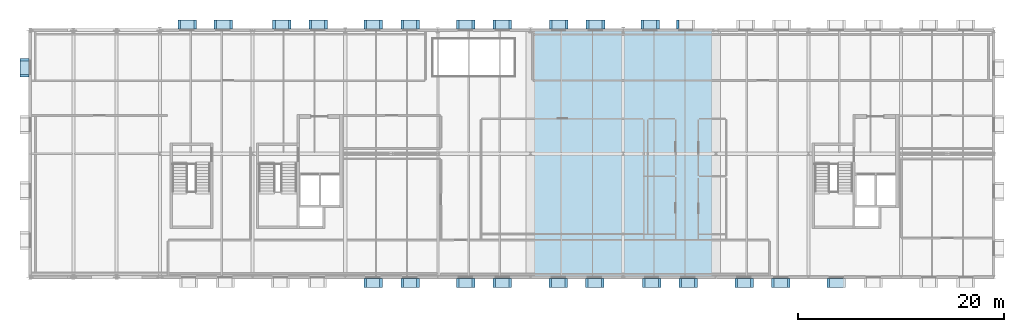
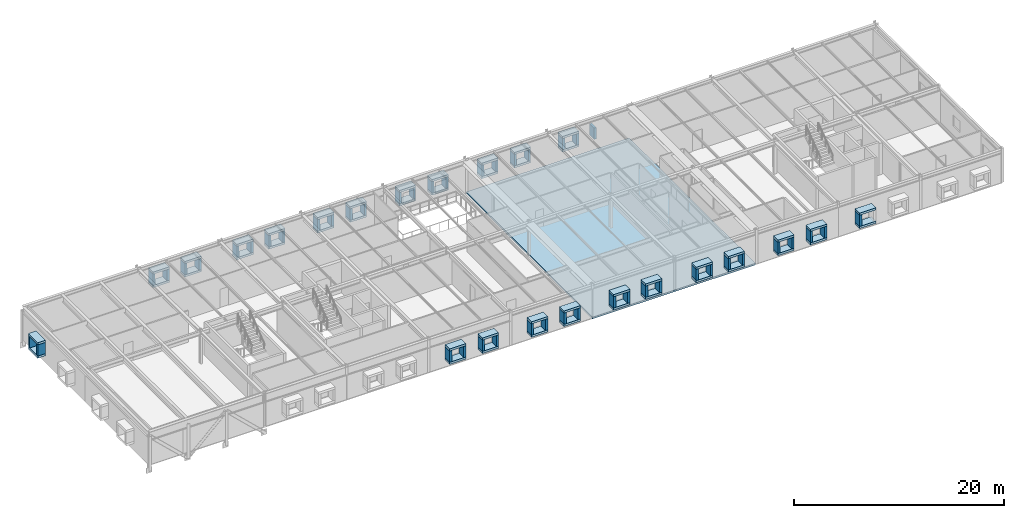
# One storey, part 6 of 17: 92 plates, 1 slab.
"""IFC4 building model written with IfcOpenShell, lengths in metres."""

from ifc_helpers import new_model, si_unit, direction, frame, origin, origin_2d, place, context, subcontext, project, spatial, polyline, rectangle, outline, extrude, material, layer, layer_set, type_object, element, save


model = new_model("IFC4")

# Units and contexts
model_context = context("Model", 3, precision=1e-05, world=origin(), true_north=direction((0.0, 1.0)))
body_context = subcontext(model_context, "Body", "Model", "MODEL_VIEW")
ifc_project = project(units=[si_unit("LENGTHUNIT", "METRE"), si_unit("AREAUNIT", "SQUARE_METRE"), si_unit("VOLUMEUNIT", "CUBIC_METRE"), si_unit("PLANEANGLEUNIT", "RADIAN"), si_unit("MASSUNIT", "GRAM", prefix="KILO")], contexts=[model_context])

# Site, building, storey
site_placement = place(None, origin())
site = spatial("IfcSite", under=ifc_project, at=site_placement, CompositionType="ELEMENT")
building_placement = place(site_placement, origin())
building = spatial("IfcBuilding", under=site, at=building_placement, Name="Montelvaro Courts of Justice", CompositionType="ELEMENT")
storey_placement = place(building_placement, frame((0.0, 0.0, 31.39990234375)))
storey = spatial("IfcBuildingStorey", under=building, at=storey_placement, Name="L07", CompositionType="ELEMENT", Elevation=31.39990234375)

# Slab
ifc_material_1 = material(Name="Concrete C35/45", Category="concrete")
ifc_layer_1 = layer(ifc_material_1, 0.199951171875)
ifc_layer_set_1 = layer_set([ifc_layer_1], Name="Concrete C35/45")
slab_type = type_object("IfcSlabType", Name="FloorSlab_200", PredefinedType="FLOOR", material=ifc_layer_set_1)
slab_placement = place(storey_placement, frame((0.0, 0.0, -0.199951171875)))
element("IfcSlab", 1, at=slab_placement, inside=storey, type_object=slab_type, Name="Structural Slab SF-09 L07", PredefinedType="FLOOR", context=body_context, shape_type="SweptSolid", body=[
    extrude(outline(polyline([(81.050048828125, 0.0), (98.949951171875, 0.0), (98.949951171875, 24.0), (81.050048828125, 24.0), (81.050048828125, 0.0)])), origin(), (0.0, 0.0, 1.0), 0.199951171875),
])

# Plates
ifc_material_2 = material(Name="White mineral precast concrete C45/55", Category="concrete")
ifc_layer_2 = layer(ifc_material_2, 0.25)
ifc_layer_set_2 = layer_set([ifc_layer_2], Name="White mineral precast concrete C45/55")
plate_type = type_object("IfcPlateType", Name="PrecastSquareFrame_250x850", PredefinedType="SHEET", material=ifc_layer_set_2)
for number, where, z_axis, x_axis, name in (
    (2, (65.702880859375, -0.56005859375, 2.35009765625), (0.0, 0.0, 1.0), (1.0, 0.0, 0.0), "Graduated Square Window Frame PF-03 W-L07-330 TOP"),
    (3, (65.702880859375, -0.56005859375, 0.800048828125), (0.0, 0.0, 1.0), (1.0, 0.0, 0.0), "Graduated Square Window Frame PF-03 W-L07-330 BOT"),
):
    element("IfcPlate", number, at=place(storey_placement, frame(where, z_axis=z_axis, x_axis=x_axis)), inside=storey, type_object=plate_type, Name=name, PredefinedType="SHEET", context=body_context, shape_type="SweptSolid", body=[
        extrude(rectangle(XDim=1.800048828125, YDim=0.860107421875, at=origin_2d()), origin(), (0.0, 0.0, 1.0), 0.25),
    ])
for number, where, z_axis, x_axis, name in (
    (4, (64.927978515625, -0.56005859375, 1.05029296875), (0.0, 0.0, 1.0), (1.0, 0.0, 0.0), "Graduated Square Window Frame PF-03 W-L07-330 L"),
    (5, (66.47802734375, -0.56005859375, 1.05029296875), (0.0, 0.0, 1.0), (1.0, 0.0, 0.0), "Graduated Square Window Frame PF-03 W-L07-330 R"),
):
    element("IfcPlate", number, at=place(storey_placement, frame(where, z_axis=z_axis, x_axis=x_axis)), inside=storey, type_object=plate_type, Name=name, PredefinedType="SHEET", context=body_context, shape_type="SweptSolid", body=[
        extrude(rectangle(XDim=0.25, YDim=0.860107421875, at=origin_2d()), origin(), (0.0, 0.0, 1.0), 1.300048828125),
    ])
for number, where, z_axis, x_axis, name in (
    (6, (69.297119140625, -0.56005859375, 2.35009765625), (0.0, 0.0, 1.0), (1.0, 0.0, 0.0), "Graduated Square Window Frame PF-03 W-L07-331 TOP"),
    (7, (69.297119140625, -0.56005859375, 0.800048828125), (0.0, 0.0, 1.0), (1.0, 0.0, 0.0), "Graduated Square Window Frame PF-03 W-L07-331 BOT"),
):
    element("IfcPlate", number, at=place(storey_placement, frame(where, z_axis=z_axis, x_axis=x_axis)), inside=storey, type_object=plate_type, Name=name, PredefinedType="SHEET", context=body_context, shape_type="SweptSolid", body=[
        extrude(rectangle(XDim=1.800048828125, YDim=0.860107421875, at=origin_2d()), origin(), (0.0, 0.0, 1.0), 0.25),
    ])
for number, where, z_axis, x_axis, name in (
    (8, (68.52197265625, -0.56005859375, 1.05029296875), (0.0, 0.0, 1.0), (1.0, 0.0, 0.0), "Graduated Square Window Frame PF-03 W-L07-331 L"),
    (9, (70.072021484375, -0.56005859375, 1.05029296875), (0.0, 0.0, 1.0), (1.0, 0.0, 0.0), "Graduated Square Window Frame PF-03 W-L07-331 R"),
):
    element("IfcPlate", number, at=place(storey_placement, frame(where, z_axis=z_axis, x_axis=x_axis)), inside=storey, type_object=plate_type, Name=name, PredefinedType="SHEET", context=body_context, shape_type="SweptSolid", body=[
        extrude(rectangle(XDim=0.25, YDim=0.860107421875, at=origin_2d()), origin(), (0.0, 0.0, 1.0), 1.300048828125),
    ])
for number, where, z_axis, x_axis, name in (
    (10, (74.68798828125, -0.56005859375, 2.35009765625), (0.0, 0.0, 1.0), (1.0, 0.0, 0.0), "Graduated Square Window Frame PF-03 W-L07-332 TOP"),
    (11, (74.68798828125, -0.56005859375, 0.800048828125), (0.0, 0.0, 1.0), (1.0, 0.0, 0.0), "Graduated Square Window Frame PF-03 W-L07-332 BOT"),
):
    element("IfcPlate", number, at=place(storey_placement, frame(where, z_axis=z_axis, x_axis=x_axis)), inside=storey, type_object=plate_type, Name=name, PredefinedType="SHEET", context=body_context, shape_type="SweptSolid", body=[
        extrude(rectangle(XDim=1.800048828125, YDim=0.860107421875, at=origin_2d()), origin(), (0.0, 0.0, 1.0), 0.25),
    ])
for number, where, z_axis, x_axis, name in (
    (12, (73.9130859375, -0.56005859375, 1.05029296875), (0.0, 0.0, 1.0), (1.0, 0.0, 0.0), "Graduated Square Window Frame PF-03 W-L07-332 L"),
    (13, (75.462890625, -0.56005859375, 1.05029296875), (0.0, 0.0, 1.0), (1.0, 0.0, 0.0), "Graduated Square Window Frame PF-03 W-L07-332 R"),
):
    element("IfcPlate", number, at=place(storey_placement, frame(where, z_axis=z_axis, x_axis=x_axis)), inside=storey, type_object=plate_type, Name=name, PredefinedType="SHEET", context=body_context, shape_type="SweptSolid", body=[
        extrude(rectangle(XDim=0.25, YDim=0.860107421875, at=origin_2d()), origin(), (0.0, 0.0, 1.0), 1.300048828125),
    ])
for number, where, z_axis, x_axis, name in (
    (14, (78.261962890625, -0.56005859375, 2.35009765625), (0.0, 0.0, 1.0), (1.0, 0.0, 0.0), "Graduated Square Window Frame PF-03 W-L07-333 TOP"),
    (15, (78.261962890625, -0.56005859375, 0.800048828125), (0.0, 0.0, 1.0), (1.0, 0.0, 0.0), "Graduated Square Window Frame PF-03 W-L07-333 BOT"),
):
    element("IfcPlate", number, at=place(storey_placement, frame(where, z_axis=z_axis, x_axis=x_axis)), inside=storey, type_object=plate_type, Name=name, PredefinedType="SHEET", context=body_context, shape_type="SweptSolid", body=[
        extrude(rectangle(XDim=1.800048828125, YDim=0.860107421875, at=origin_2d()), origin(), (0.0, 0.0, 1.0), 0.25),
    ])
for number, where, z_axis, x_axis, name in (
    (16, (77.487060546875, -0.56005859375, 1.05029296875), (0.0, 0.0, 1.0), (1.0, 0.0, 0.0), "Graduated Square Window Frame PF-03 W-L07-333 L"),
    (17, (79.037109375, -0.56005859375, 1.05029296875), (0.0, 0.0, 1.0), (1.0, 0.0, 0.0), "Graduated Square Window Frame PF-03 W-L07-333 R"),
):
    element("IfcPlate", number, at=place(storey_placement, frame(where, z_axis=z_axis, x_axis=x_axis)), inside=storey, type_object=plate_type, Name=name, PredefinedType="SHEET", context=body_context, shape_type="SweptSolid", body=[
        extrude(rectangle(XDim=0.25, YDim=0.860107421875, at=origin_2d()), origin(), (0.0, 0.0, 1.0), 1.300048828125),
    ])
for number, where, z_axis, x_axis, name in (
    (18, (78.261962890625, 24.56005859375, 2.35009765625), (0.0, 0.0, 1.0), (-1.0, 0.0, 0.0), "Graduated Square Window Frame PF-03 W-L07-334 TOP"),
    (19, (78.261962890625, 24.56005859375, 0.800048828125), (0.0, 0.0, 1.0), (-1.0, 0.0, 0.0), "Graduated Square Window Frame PF-03 W-L07-334 BOT"),
):
    element("IfcPlate", number, at=place(storey_placement, frame(where, z_axis=z_axis, x_axis=x_axis)), inside=storey, type_object=plate_type, Name=name, PredefinedType="SHEET", context=body_context, shape_type="SweptSolid", body=[
        extrude(rectangle(XDim=1.800048828125, YDim=0.860107421875, at=origin_2d()), origin(), (0.0, 0.0, 1.0), 0.25),
    ])
for number, where, z_axis, x_axis, name in (
    (20, (79.037109375, 24.56005859375, 1.05029296875), (0.0, 0.0, 1.0), (-1.0, 0.0, 0.0), "Graduated Square Window Frame PF-03 W-L07-334 L"),
    (21, (77.487060546875, 24.56005859375, 1.05029296875), (0.0, 0.0, 1.0), (-1.0, 0.0, 0.0), "Graduated Square Window Frame PF-03 W-L07-334 R"),
):
    element("IfcPlate", number, at=place(storey_placement, frame(where, z_axis=z_axis, x_axis=x_axis)), inside=storey, type_object=plate_type, Name=name, PredefinedType="SHEET", context=body_context, shape_type="SweptSolid", body=[
        extrude(rectangle(XDim=0.25, YDim=0.860107421875, at=origin_2d()), origin(), (0.0, 0.0, 1.0), 1.300048828125),
    ])
for number, where, z_axis, x_axis, name in (
    (22, (74.68798828125, 24.56005859375, 2.35009765625), (0.0, 0.0, 1.0), (-1.0, 0.0, 0.0), "Graduated Square Window Frame PF-03 W-L07-335 TOP"),
    (23, (74.68798828125, 24.56005859375, 0.800048828125), (0.0, 0.0, 1.0), (-1.0, 0.0, 0.0), "Graduated Square Window Frame PF-03 W-L07-335 BOT"),
):
    element("IfcPlate", number, at=place(storey_placement, frame(where, z_axis=z_axis, x_axis=x_axis)), inside=storey, type_object=plate_type, Name=name, PredefinedType="SHEET", context=body_context, shape_type="SweptSolid", body=[
        extrude(rectangle(XDim=1.800048828125, YDim=0.860107421875, at=origin_2d()), origin(), (0.0, 0.0, 1.0), 0.25),
    ])
for number, where, z_axis, x_axis, name in (
    (24, (75.462890625, 24.56005859375, 1.05029296875), (0.0, 0.0, 1.0), (-1.0, 0.0, 0.0), "Graduated Square Window Frame PF-03 W-L07-335 L"),
    (25, (73.9130859375, 24.56005859375, 1.05029296875), (0.0, 0.0, 1.0), (-1.0, 0.0, 0.0), "Graduated Square Window Frame PF-03 W-L07-335 R"),
):
    element("IfcPlate", number, at=place(storey_placement, frame(where, z_axis=z_axis, x_axis=x_axis)), inside=storey, type_object=plate_type, Name=name, PredefinedType="SHEET", context=body_context, shape_type="SweptSolid", body=[
        extrude(rectangle(XDim=0.25, YDim=0.860107421875, at=origin_2d()), origin(), (0.0, 0.0, 1.0), 1.300048828125),
    ])
for number, where, z_axis, x_axis, name in (
    (26, (69.297119140625, 24.56005859375, 2.35009765625), (0.0, 0.0, 1.0), (-1.0, 0.0, 0.0), "Graduated Square Window Frame PF-03 W-L07-336 TOP"),
    (27, (69.297119140625, 24.56005859375, 0.800048828125), (0.0, 0.0, 1.0), (-1.0, 0.0, 0.0), "Graduated Square Window Frame PF-03 W-L07-336 BOT"),
):
    element("IfcPlate", number, at=place(storey_placement, frame(where, z_axis=z_axis, x_axis=x_axis)), inside=storey, type_object=plate_type, Name=name, PredefinedType="SHEET", context=body_context, shape_type="SweptSolid", body=[
        extrude(rectangle(XDim=1.800048828125, YDim=0.860107421875, at=origin_2d()), origin(), (0.0, 0.0, 1.0), 0.25),
    ])
for number, where, z_axis, x_axis, name in (
    (28, (70.072021484375, 24.56005859375, 1.05029296875), (0.0, 0.0, 1.0), (-1.0, 0.0, 0.0), "Graduated Square Window Frame PF-03 W-L07-336 L"),
    (29, (68.52197265625, 24.56005859375, 1.05029296875), (0.0, 0.0, 1.0), (-1.0, 0.0, 0.0), "Graduated Square Window Frame PF-03 W-L07-336 R"),
):
    element("IfcPlate", number, at=place(storey_placement, frame(where, z_axis=z_axis, x_axis=x_axis)), inside=storey, type_object=plate_type, Name=name, PredefinedType="SHEET", context=body_context, shape_type="SweptSolid", body=[
        extrude(rectangle(XDim=0.25, YDim=0.860107421875, at=origin_2d()), origin(), (0.0, 0.0, 1.0), 1.300048828125),
    ])
for number, where, z_axis, x_axis, name in (
    (30, (65.702880859375, 24.56005859375, 2.35009765625), (0.0, 0.0, 1.0), (-1.0, 0.0, 0.0), "Graduated Square Window Frame PF-03 W-L07-337 TOP"),
    (31, (65.702880859375, 24.56005859375, 0.800048828125), (0.0, 0.0, 1.0), (-1.0, 0.0, 0.0), "Graduated Square Window Frame PF-03 W-L07-337 BOT"),
):
    element("IfcPlate", number, at=place(storey_placement, frame(where, z_axis=z_axis, x_axis=x_axis)), inside=storey, type_object=plate_type, Name=name, PredefinedType="SHEET", context=body_context, shape_type="SweptSolid", body=[
        extrude(rectangle(XDim=1.800048828125, YDim=0.860107421875, at=origin_2d()), origin(), (0.0, 0.0, 1.0), 0.25),
    ])
for number, where, z_axis, x_axis, name in (
    (32, (66.47802734375, 24.56005859375, 1.05029296875), (0.0, 0.0, 1.0), (-1.0, 0.0, 0.0), "Graduated Square Window Frame PF-03 W-L07-337 L"),
    (33, (64.927978515625, 24.56005859375, 1.05029296875), (0.0, 0.0, 1.0), (-1.0, 0.0, 0.0), "Graduated Square Window Frame PF-03 W-L07-337 R"),
):
    element("IfcPlate", number, at=place(storey_placement, frame(where, z_axis=z_axis, x_axis=x_axis)), inside=storey, type_object=plate_type, Name=name, PredefinedType="SHEET", context=body_context, shape_type="SweptSolid", body=[
        extrude(rectangle(XDim=0.25, YDim=0.860107421875, at=origin_2d()), origin(), (0.0, 0.0, 1.0), 1.300048828125),
    ])
for number, where, z_axis, x_axis, name in (
    (34, (60.361083984375, 24.56005859375, 2.35009765625), (0.0, 0.0, 1.0), (-1.0, 0.0, 0.0), "Graduated Square Window Frame PF-03 W-L07-338 TOP"),
    (35, (60.361083984375, 24.56005859375, 0.800048828125), (0.0, 0.0, 1.0), (-1.0, 0.0, 0.0), "Graduated Square Window Frame PF-03 W-L07-338 BOT"),
):
    element("IfcPlate", number, at=place(storey_placement, frame(where, z_axis=z_axis, x_axis=x_axis)), inside=storey, type_object=plate_type, Name=name, PredefinedType="SHEET", context=body_context, shape_type="SweptSolid", body=[
        extrude(rectangle(XDim=1.800048828125, YDim=0.860107421875, at=origin_2d()), origin(), (0.0, 0.0, 1.0), 0.25),
    ])
for number, where, z_axis, x_axis, name in (
    (36, (61.135986328125, 24.56005859375, 1.05029296875), (0.0, 0.0, 1.0), (-1.0, 0.0, 0.0), "Graduated Square Window Frame PF-03 W-L07-338 L"),
    (37, (59.5859375, 24.56005859375, 1.05029296875), (0.0, 0.0, 1.0), (-1.0, 0.0, 0.0), "Graduated Square Window Frame PF-03 W-L07-338 R"),
):
    element("IfcPlate", number, at=place(storey_placement, frame(where, z_axis=z_axis, x_axis=x_axis)), inside=storey, type_object=plate_type, Name=name, PredefinedType="SHEET", context=body_context, shape_type="SweptSolid", body=[
        extrude(rectangle(XDim=0.25, YDim=0.860107421875, at=origin_2d()), origin(), (0.0, 0.0, 1.0), 1.300048828125),
    ])
for number, where, z_axis, x_axis, name in (
    (38, (56.85400390625, 24.56005859375, 2.35009765625), (0.0, 0.0, 1.0), (-1.0, 0.0, 0.0), "Graduated Square Window Frame PF-03 W-L07-339 TOP"),
    (39, (56.85400390625, 24.56005859375, 0.800048828125), (0.0, 0.0, 1.0), (-1.0, 0.0, 0.0), "Graduated Square Window Frame PF-03 W-L07-339 BOT"),
):
    element("IfcPlate", number, at=place(storey_placement, frame(where, z_axis=z_axis, x_axis=x_axis)), inside=storey, type_object=plate_type, Name=name, PredefinedType="SHEET", context=body_context, shape_type="SweptSolid", body=[
        extrude(rectangle(XDim=1.800048828125, YDim=0.860107421875, at=origin_2d()), origin(), (0.0, 0.0, 1.0), 0.25),
    ])
for number, where, z_axis, x_axis, name in (
    (40, (57.62890625, 24.56005859375, 1.05029296875), (0.0, 0.0, 1.0), (-1.0, 0.0, 0.0), "Graduated Square Window Frame PF-03 W-L07-339 L"),
    (41, (56.0791015625, 24.56005859375, 1.05029296875), (0.0, 0.0, 1.0), (-1.0, 0.0, 0.0), "Graduated Square Window Frame PF-03 W-L07-339 R"),
):
    element("IfcPlate", number, at=place(storey_placement, frame(where, z_axis=z_axis, x_axis=x_axis)), inside=storey, type_object=plate_type, Name=name, PredefinedType="SHEET", context=body_context, shape_type="SweptSolid", body=[
        extrude(rectangle(XDim=0.25, YDim=0.860107421875, at=origin_2d()), origin(), (0.0, 0.0, 1.0), 1.300048828125),
    ])
for number, where, z_axis, x_axis, name in (
    (42, (51.14599609375, 24.56005859375, 2.35009765625), (0.0, 0.0, 1.0), (-1.0, 0.0, 0.0), "Graduated Square Window Frame PF-03 W-L07-340 TOP"),
    (43, (51.14599609375, 24.56005859375, 0.800048828125), (0.0, 0.0, 1.0), (-1.0, 0.0, 0.0), "Graduated Square Window Frame PF-03 W-L07-340 BOT"),
):
    element("IfcPlate", number, at=place(storey_placement, frame(where, z_axis=z_axis, x_axis=x_axis)), inside=storey, type_object=plate_type, Name=name, PredefinedType="SHEET", context=body_context, shape_type="SweptSolid", body=[
        extrude(rectangle(XDim=1.800048828125, YDim=0.860107421875, at=origin_2d()), origin(), (0.0, 0.0, 1.0), 0.25),
    ])
for number, where, z_axis, x_axis, name in (
    (44, (51.9208984375, 24.56005859375, 1.05029296875), (0.0, 0.0, 1.0), (-1.0, 0.0, 0.0), "Graduated Square Window Frame PF-03 W-L07-340 L"),
    (45, (50.37109375, 24.56005859375, 1.05029296875), (0.0, 0.0, 1.0), (-1.0, 0.0, 0.0), "Graduated Square Window Frame PF-03 W-L07-340 R"),
):
    element("IfcPlate", number, at=place(storey_placement, frame(where, z_axis=z_axis, x_axis=x_axis)), inside=storey, type_object=plate_type, Name=name, PredefinedType="SHEET", context=body_context, shape_type="SweptSolid", body=[
        extrude(rectangle(XDim=0.25, YDim=0.860107421875, at=origin_2d()), origin(), (0.0, 0.0, 1.0), 1.300048828125),
    ])
for number, where, z_axis, x_axis, name in (
    (46, (47.638916015625, 24.56005859375, 2.35009765625), (0.0, 0.0, 1.0), (-1.0, 0.0, 0.0), "Graduated Square Window Frame PF-03 W-L07-341 TOP"),
    (47, (47.638916015625, 24.56005859375, 0.800048828125), (0.0, 0.0, 1.0), (-1.0, 0.0, 0.0), "Graduated Square Window Frame PF-03 W-L07-341 BOT"),
):
    element("IfcPlate", number, at=place(storey_placement, frame(where, z_axis=z_axis, x_axis=x_axis)), inside=storey, type_object=plate_type, Name=name, PredefinedType="SHEET", context=body_context, shape_type="SweptSolid", body=[
        extrude(rectangle(XDim=1.800048828125, YDim=0.860107421875, at=origin_2d()), origin(), (0.0, 0.0, 1.0), 0.25),
    ])
for number, where, z_axis, x_axis, name in (
    (48, (48.4140625, 24.56005859375, 1.05029296875), (0.0, 0.0, 1.0), (-1.0, 0.0, 0.0), "Graduated Square Window Frame PF-03 W-L07-341 L"),
    (49, (46.864013671875, 24.56005859375, 1.05029296875), (0.0, 0.0, 1.0), (-1.0, 0.0, 0.0), "Graduated Square Window Frame PF-03 W-L07-341 R"),
):
    element("IfcPlate", number, at=place(storey_placement, frame(where, z_axis=z_axis, x_axis=x_axis)), inside=storey, type_object=plate_type, Name=name, PredefinedType="SHEET", context=body_context, shape_type="SweptSolid", body=[
        extrude(rectangle(XDim=0.25, YDim=0.860107421875, at=origin_2d()), origin(), (0.0, 0.0, 1.0), 1.300048828125),
    ])
for number, where, z_axis, x_axis, name in (
    (50, (31.840087890625, 20.368896484375, 2.35009765625), (0.0, 0.0, 1.0), (0.0, -1.0, 0.0), "Graduated Square Window Frame PF-03 W-L07-342 TOP"),
    (51, (31.840087890625, 20.368896484375, 0.800048828125), (0.0, 0.0, 1.0), (0.0, -1.0, 0.0), "Graduated Square Window Frame PF-03 W-L07-342 BOT"),
):
    element("IfcPlate", number, at=place(storey_placement, frame(where, z_axis=z_axis, x_axis=x_axis)), inside=storey, type_object=plate_type, Name=name, PredefinedType="SHEET", context=body_context, shape_type="SweptSolid", body=[
        extrude(rectangle(XDim=1.800048828125, YDim=0.860107421875, at=origin_2d()), origin(), (0.0, 0.0, 1.0), 0.25),
    ])
for number, where, z_axis, x_axis, name in (
    (52, (31.840087890625, 21.14404296875, 1.05029296875), (0.0, 0.0, 1.0), (0.0, -1.0, 0.0), "Graduated Square Window Frame PF-03 W-L07-342 L"),
    (53, (31.840087890625, 19.593994140625, 1.05029296875), (0.0, 0.0, 1.0), (0.0, -1.0, 0.0), "Graduated Square Window Frame PF-03 W-L07-342 R"),
):
    element("IfcPlate", number, at=place(storey_placement, frame(where, z_axis=z_axis, x_axis=x_axis)), inside=storey, type_object=plate_type, Name=name, PredefinedType="SHEET", context=body_context, shape_type="SweptSolid", body=[
        extrude(rectangle(XDim=0.25, YDim=0.860107421875, at=origin_2d()), origin(), (0.0, 0.0, 1.0), 1.300048828125),
    ])
for number, where, z_axis, x_axis, name in (
    (54, (83.698974609375, -0.56005859375, 2.35009765625), (0.0, 0.0, 1.0), (1.0, 0.0, 0.0), "Graduated Square Window Frame PF-03 W-L07-346 TOP"),
    (55, (83.698974609375, -0.56005859375, 0.800048828125), (0.0, 0.0, 1.0), (1.0, 0.0, 0.0), "Graduated Square Window Frame PF-03 W-L07-346 BOT"),
):
    element("IfcPlate", number, at=place(storey_placement, frame(where, z_axis=z_axis, x_axis=x_axis)), inside=storey, type_object=plate_type, Name=name, PredefinedType="SHEET", context=body_context, shape_type="SweptSolid", body=[
        extrude(rectangle(XDim=1.800048828125, YDim=0.860107421875, at=origin_2d()), origin(), (0.0, 0.0, 1.0), 0.25),
    ])
for number, where, z_axis, x_axis, name in (
    (56, (82.924072265625, -0.56005859375, 1.05029296875), (0.0, 0.0, 1.0), (1.0, 0.0, 0.0), "Graduated Square Window Frame PF-03 W-L07-346 L"),
    (57, (84.47412109375, -0.56005859375, 1.05029296875), (0.0, 0.0, 1.0), (1.0, 0.0, 0.0), "Graduated Square Window Frame PF-03 W-L07-346 R"),
):
    element("IfcPlate", number, at=place(storey_placement, frame(where, z_axis=z_axis, x_axis=x_axis)), inside=storey, type_object=plate_type, Name=name, PredefinedType="SHEET", context=body_context, shape_type="SweptSolid", body=[
        extrude(rectangle(XDim=0.25, YDim=0.860107421875, at=origin_2d()), origin(), (0.0, 0.0, 1.0), 1.300048828125),
    ])
for number, where, z_axis, x_axis, name in (
    (58, (87.220947265625, -0.56005859375, 2.35009765625), (0.0, 0.0, 1.0), (1.0, 0.0, 0.0), "Graduated Square Window Frame PF-03 W-L07-347 TOP"),
    (59, (87.220947265625, -0.56005859375, 0.800048828125), (0.0, 0.0, 1.0), (1.0, 0.0, 0.0), "Graduated Square Window Frame PF-03 W-L07-347 BOT"),
):
    element("IfcPlate", number, at=place(storey_placement, frame(where, z_axis=z_axis, x_axis=x_axis)), inside=storey, type_object=plate_type, Name=name, PredefinedType="SHEET", context=body_context, shape_type="SweptSolid", body=[
        extrude(rectangle(XDim=1.800048828125, YDim=0.860107421875, at=origin_2d()), origin(), (0.0, 0.0, 1.0), 0.25),
    ])
for number, where, z_axis, x_axis, name in (
    (60, (86.446044921875, -0.56005859375, 1.05029296875), (0.0, 0.0, 1.0), (1.0, 0.0, 0.0), "Graduated Square Window Frame PF-03 W-L07-347 L"),
    (61, (87.99609375, -0.56005859375, 1.05029296875), (0.0, 0.0, 1.0), (1.0, 0.0, 0.0), "Graduated Square Window Frame PF-03 W-L07-347 R"),
):
    element("IfcPlate", number, at=place(storey_placement, frame(where, z_axis=z_axis, x_axis=x_axis)), inside=storey, type_object=plate_type, Name=name, PredefinedType="SHEET", context=body_context, shape_type="SweptSolid", body=[
        extrude(rectangle(XDim=0.25, YDim=0.860107421875, at=origin_2d()), origin(), (0.0, 0.0, 1.0), 1.300048828125),
    ])
for number, where, z_axis, x_axis, name in (
    (62, (92.779052734375, -0.56005859375, 2.35009765625), (0.0, 0.0, 1.0), (1.0, 0.0, 0.0), "Graduated Square Window Frame PF-03 W-L07-348 TOP"),
    (63, (92.779052734375, -0.56005859375, 0.800048828125), (0.0, 0.0, 1.0), (1.0, 0.0, 0.0), "Graduated Square Window Frame PF-03 W-L07-348 BOT"),
):
    element("IfcPlate", number, at=place(storey_placement, frame(where, z_axis=z_axis, x_axis=x_axis)), inside=storey, type_object=plate_type, Name=name, PredefinedType="SHEET", context=body_context, shape_type="SweptSolid", body=[
        extrude(rectangle(XDim=1.800048828125, YDim=0.860107421875, at=origin_2d()), origin(), (0.0, 0.0, 1.0), 0.25),
    ])
for number, where, z_axis, x_axis, name in (
    (64, (92.00390625, -0.56005859375, 1.05029296875), (0.0, 0.0, 1.0), (1.0, 0.0, 0.0), "Graduated Square Window Frame PF-03 W-L07-348 L"),
    (65, (93.553955078125, -0.56005859375, 1.05029296875), (0.0, 0.0, 1.0), (1.0, 0.0, 0.0), "Graduated Square Window Frame PF-03 W-L07-348 R"),
):
    element("IfcPlate", number, at=place(storey_placement, frame(where, z_axis=z_axis, x_axis=x_axis)), inside=storey, type_object=plate_type, Name=name, PredefinedType="SHEET", context=body_context, shape_type="SweptSolid", body=[
        extrude(rectangle(XDim=0.25, YDim=0.860107421875, at=origin_2d()), origin(), (0.0, 0.0, 1.0), 1.300048828125),
    ])
for number, where, z_axis, x_axis, name in (
    (66, (96.301025390625, -0.56005859375, 2.35009765625), (0.0, 0.0, 1.0), (1.0, 0.0, 0.0), "Graduated Square Window Frame PF-03 W-L07-349 TOP"),
    (67, (96.301025390625, -0.56005859375, 0.800048828125), (0.0, 0.0, 1.0), (1.0, 0.0, 0.0), "Graduated Square Window Frame PF-03 W-L07-349 BOT"),
):
    element("IfcPlate", number, at=place(storey_placement, frame(where, z_axis=z_axis, x_axis=x_axis)), inside=storey, type_object=plate_type, Name=name, PredefinedType="SHEET", context=body_context, shape_type="SweptSolid", body=[
        extrude(rectangle(XDim=1.800048828125, YDim=0.860107421875, at=origin_2d()), origin(), (0.0, 0.0, 1.0), 0.25),
    ])
for number, where, z_axis, x_axis, name in (
    (68, (95.52587890625, -0.56005859375, 1.05029296875), (0.0, 0.0, 1.0), (1.0, 0.0, 0.0), "Graduated Square Window Frame PF-03 W-L07-349 L"),
    (69, (97.075927734375, -0.56005859375, 1.05029296875), (0.0, 0.0, 1.0), (1.0, 0.0, 0.0), "Graduated Square Window Frame PF-03 W-L07-349 R"),
    (70, (95.301025390625, 24.56005859375, 1.05029296875), (0.0, 0.0, 1.0), (-1.0, 0.0, 0.0), "Graduated Square Window Frame PF-03 W-L07-350 R"),
):
    element("IfcPlate", number, at=place(storey_placement, frame(where, z_axis=z_axis, x_axis=x_axis)), inside=storey, type_object=plate_type, Name=name, PredefinedType="SHEET", context=body_context, shape_type="SweptSolid", body=[
        extrude(rectangle(XDim=0.25, YDim=0.860107421875, at=origin_2d()), origin(), (0.0, 0.0, 1.0), 1.300048828125),
    ])
for number, where, z_axis, x_axis, name in (
    (71, (92.60888671875, 24.56005859375, 2.35009765625), (0.0, 0.0, 1.0), (-1.0, 0.0, 0.0), "Graduated Square Window Frame PF-03 W-L07-351 TOP"),
    (72, (92.60888671875, 24.56005859375, 0.800048828125), (0.0, 0.0, 1.0), (-1.0, 0.0, 0.0), "Graduated Square Window Frame PF-03 W-L07-351 BOT"),
):
    element("IfcPlate", number, at=place(storey_placement, frame(where, z_axis=z_axis, x_axis=x_axis)), inside=storey, type_object=plate_type, Name=name, PredefinedType="SHEET", context=body_context, shape_type="SweptSolid", body=[
        extrude(rectangle(XDim=1.800048828125, YDim=0.860107421875, at=origin_2d()), origin(), (0.0, 0.0, 1.0), 0.25),
    ])
for number, where, z_axis, x_axis, name in (
    (73, (93.384033203125, 24.56005859375, 1.05029296875), (0.0, 0.0, 1.0), (-1.0, 0.0, 0.0), "Graduated Square Window Frame PF-03 W-L07-351 L"),
    (74, (91.833984375, 24.56005859375, 1.05029296875), (0.0, 0.0, 1.0), (-1.0, 0.0, 0.0), "Graduated Square Window Frame PF-03 W-L07-351 R"),
):
    element("IfcPlate", number, at=place(storey_placement, frame(where, z_axis=z_axis, x_axis=x_axis)), inside=storey, type_object=plate_type, Name=name, PredefinedType="SHEET", context=body_context, shape_type="SweptSolid", body=[
        extrude(rectangle(XDim=0.25, YDim=0.860107421875, at=origin_2d()), origin(), (0.0, 0.0, 1.0), 1.300048828125),
    ])
for number, where, z_axis, x_axis, name in (
    (75, (87.31201171875, 24.56005859375, 2.35009765625), (0.0, 0.0, 1.0), (-1.0, 0.0, 0.0), "Graduated Square Window Frame PF-03 W-L07-352 TOP"),
    (76, (87.31201171875, 24.56005859375, 0.800048828125), (0.0, 0.0, 1.0), (-1.0, 0.0, 0.0), "Graduated Square Window Frame PF-03 W-L07-352 BOT"),
):
    element("IfcPlate", number, at=place(storey_placement, frame(where, z_axis=z_axis, x_axis=x_axis)), inside=storey, type_object=plate_type, Name=name, PredefinedType="SHEET", context=body_context, shape_type="SweptSolid", body=[
        extrude(rectangle(XDim=1.800048828125, YDim=0.860107421875, at=origin_2d()), origin(), (0.0, 0.0, 1.0), 0.25),
    ])
for number, where, z_axis, x_axis, name in (
    (77, (88.0869140625, 24.56005859375, 1.05029296875), (0.0, 0.0, 1.0), (-1.0, 0.0, 0.0), "Graduated Square Window Frame PF-03 W-L07-352 L"),
    (78, (86.537109375, 24.56005859375, 1.05029296875), (0.0, 0.0, 1.0), (-1.0, 0.0, 0.0), "Graduated Square Window Frame PF-03 W-L07-352 R"),
):
    element("IfcPlate", number, at=place(storey_placement, frame(where, z_axis=z_axis, x_axis=x_axis)), inside=storey, type_object=plate_type, Name=name, PredefinedType="SHEET", context=body_context, shape_type="SweptSolid", body=[
        extrude(rectangle(XDim=0.25, YDim=0.860107421875, at=origin_2d()), origin(), (0.0, 0.0, 1.0), 1.300048828125),
    ])
for number, where, z_axis, x_axis, name in (
    (79, (83.738037109375, 24.56005859375, 2.35009765625), (0.0, 0.0, 1.0), (-1.0, 0.0, 0.0), "Graduated Square Window Frame PF-03 W-L07-353 TOP"),
    (80, (83.738037109375, 24.56005859375, 0.800048828125), (0.0, 0.0, 1.0), (-1.0, 0.0, 0.0), "Graduated Square Window Frame PF-03 W-L07-353 BOT"),
):
    element("IfcPlate", number, at=place(storey_placement, frame(where, z_axis=z_axis, x_axis=x_axis)), inside=storey, type_object=plate_type, Name=name, PredefinedType="SHEET", context=body_context, shape_type="SweptSolid", body=[
        extrude(rectangle(XDim=1.800048828125, YDim=0.860107421875, at=origin_2d()), origin(), (0.0, 0.0, 1.0), 0.25),
    ])
for number, where, z_axis, x_axis, name in (
    (81, (84.512939453125, 24.56005859375, 1.05029296875), (0.0, 0.0, 1.0), (-1.0, 0.0, 0.0), "Graduated Square Window Frame PF-03 W-L07-353 L"),
    (82, (82.962890625, 24.56005859375, 1.05029296875), (0.0, 0.0, 1.0), (-1.0, 0.0, 0.0), "Graduated Square Window Frame PF-03 W-L07-353 R"),
):
    element("IfcPlate", number, at=place(storey_placement, frame(where, z_axis=z_axis, x_axis=x_axis)), inside=storey, type_object=plate_type, Name=name, PredefinedType="SHEET", context=body_context, shape_type="SweptSolid", body=[
        extrude(rectangle(XDim=0.25, YDim=0.860107421875, at=origin_2d()), origin(), (0.0, 0.0, 1.0), 1.300048828125),
    ])
for number, where, z_axis, x_axis, name in (
    (83, (101.738037109375, -0.56005859375, 2.35009765625), (0.0, 0.0, 1.0), (1.0, 0.0, 0.0), "Graduated Square Window Frame PF-03 W-L07-354 TOP"),
    (84, (101.738037109375, -0.56005859375, 0.800048828125), (0.0, 0.0, 1.0), (1.0, 0.0, 0.0), "Graduated Square Window Frame PF-03 W-L07-354 BOT"),
):
    element("IfcPlate", number, at=place(storey_placement, frame(where, z_axis=z_axis, x_axis=x_axis)), inside=storey, type_object=plate_type, Name=name, PredefinedType="SHEET", context=body_context, shape_type="SweptSolid", body=[
        extrude(rectangle(XDim=1.800048828125, YDim=0.860107421875, at=origin_2d()), origin(), (0.0, 0.0, 1.0), 0.25),
    ])
for number, where, z_axis, x_axis, name in (
    (85, (100.962890625, -0.56005859375, 1.05029296875), (0.0, 0.0, 1.0), (1.0, 0.0, 0.0), "Graduated Square Window Frame PF-03 W-L07-354 L"),
    (86, (102.512939453125, -0.56005859375, 1.05029296875), (0.0, 0.0, 1.0), (1.0, 0.0, 0.0), "Graduated Square Window Frame PF-03 W-L07-354 R"),
):
    element("IfcPlate", number, at=place(storey_placement, frame(where, z_axis=z_axis, x_axis=x_axis)), inside=storey, type_object=plate_type, Name=name, PredefinedType="SHEET", context=body_context, shape_type="SweptSolid", body=[
        extrude(rectangle(XDim=0.25, YDim=0.860107421875, at=origin_2d()), origin(), (0.0, 0.0, 1.0), 1.300048828125),
    ])
for number, where, z_axis, x_axis, name in (
    (87, (105.31201171875, -0.56005859375, 2.35009765625), (0.0, 0.0, 1.0), (1.0, 0.0, 0.0), "Graduated Square Window Frame PF-03 W-L07-355 TOP"),
    (88, (105.31201171875, -0.56005859375, 0.800048828125), (0.0, 0.0, 1.0), (1.0, 0.0, 0.0), "Graduated Square Window Frame PF-03 W-L07-355 BOT"),
):
    element("IfcPlate", number, at=place(storey_placement, frame(where, z_axis=z_axis, x_axis=x_axis)), inside=storey, type_object=plate_type, Name=name, PredefinedType="SHEET", context=body_context, shape_type="SweptSolid", body=[
        extrude(rectangle(XDim=1.800048828125, YDim=0.860107421875, at=origin_2d()), origin(), (0.0, 0.0, 1.0), 0.25),
    ])
for number, where, z_axis, x_axis, name in (
    (89, (104.537109375, -0.56005859375, 1.05029296875), (0.0, 0.0, 1.0), (1.0, 0.0, 0.0), "Graduated Square Window Frame PF-03 W-L07-355 L"),
    (90, (106.0869140625, -0.56005859375, 1.05029296875), (0.0, 0.0, 1.0), (1.0, 0.0, 0.0), "Graduated Square Window Frame PF-03 W-L07-355 R"),
):
    element("IfcPlate", number, at=place(storey_placement, frame(where, z_axis=z_axis, x_axis=x_axis)), inside=storey, type_object=plate_type, Name=name, PredefinedType="SHEET", context=body_context, shape_type="SweptSolid", body=[
        extrude(rectangle(XDim=0.25, YDim=0.860107421875, at=origin_2d()), origin(), (0.0, 0.0, 1.0), 1.300048828125),
    ])
for number, where, z_axis, x_axis, name in (
    (91, (110.702880859375, -0.56005859375, 2.35009765625), (0.0, 0.0, 1.0), (1.0, 0.0, 0.0), "Graduated Square Window Frame PF-03 W-L07-356 TOP"),
    (92, (110.702880859375, -0.56005859375, 0.800048828125), (0.0, 0.0, 1.0), (1.0, 0.0, 0.0), "Graduated Square Window Frame PF-03 W-L07-356 BOT"),
):
    element("IfcPlate", number, at=place(storey_placement, frame(where, z_axis=z_axis, x_axis=x_axis)), inside=storey, type_object=plate_type, Name=name, PredefinedType="SHEET", context=body_context, shape_type="SweptSolid", body=[
        extrude(rectangle(XDim=1.800048828125, YDim=0.860107421875, at=origin_2d()), origin(), (0.0, 0.0, 1.0), 0.25),
    ])
plate_placement = place(storey_placement, frame((109.927978515625, -0.56005859375, 1.05029296875), z_axis=(0.0, 0.0, 1.0), x_axis=(1.0, 0.0, 0.0)))
element("IfcPlate", 93, at=plate_placement, inside=storey, type_object=plate_type, Name="Graduated Square Window Frame PF-03 W-L07-356 L", PredefinedType="SHEET", context=body_context, shape_type="SweptSolid", body=[
    extrude(rectangle(XDim=0.25, YDim=0.860107421875, at=origin_2d()), origin(), (0.0, 0.0, 1.0), 1.300048828125),
])

save(model, "model.ifc")
